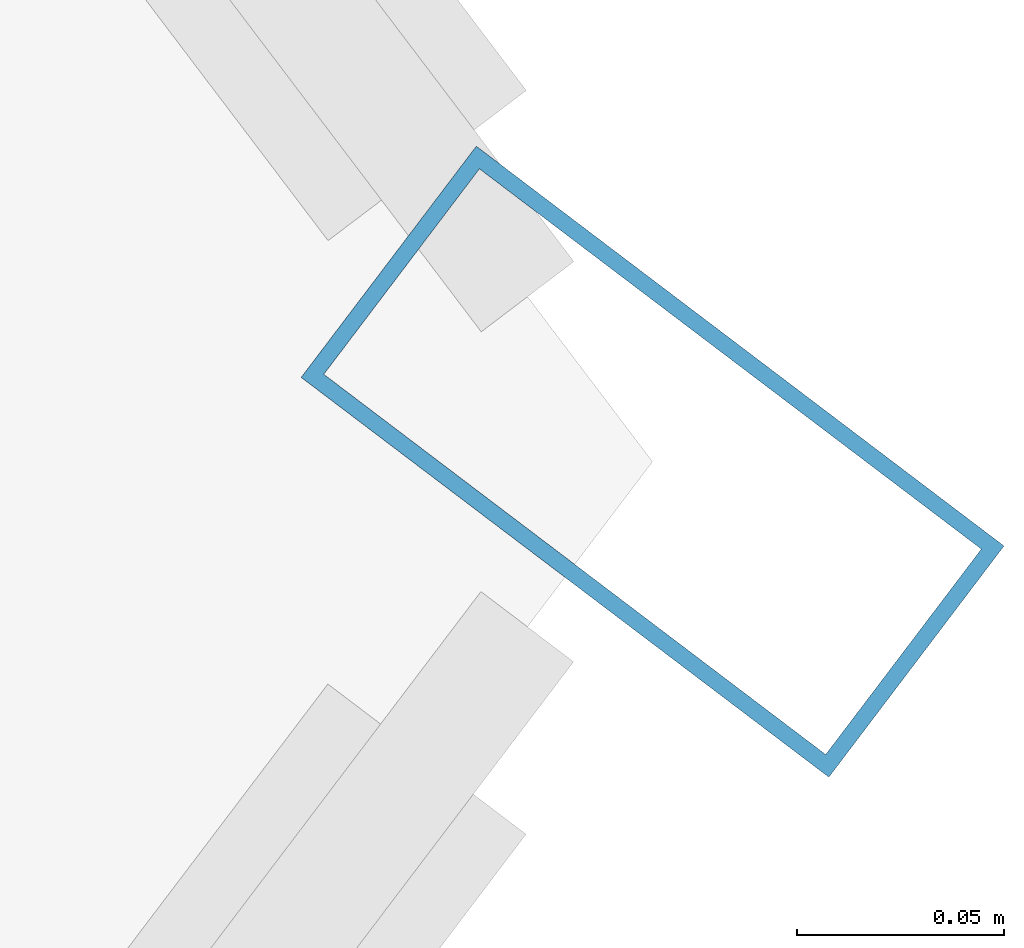
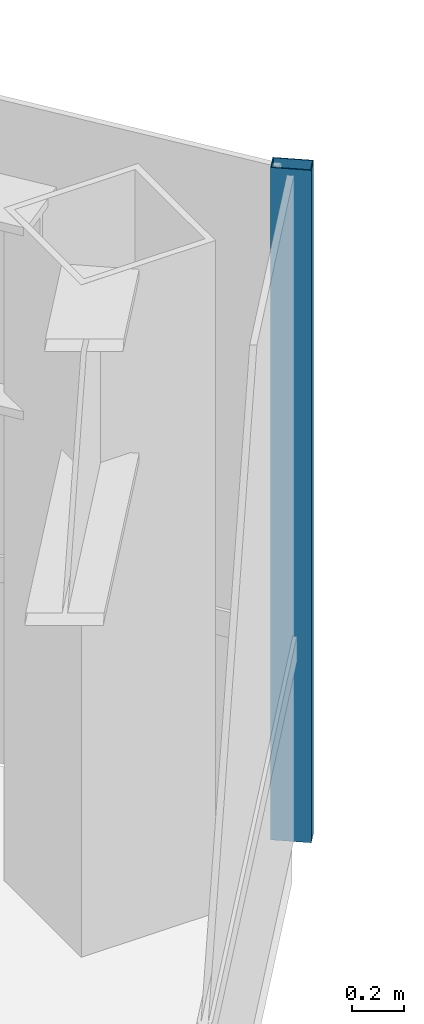
# One storey, part 21 of 28: 1 member, 1 element without a shape of its own.
"""IFC4 building model written with IfcOpenShell, lengths in metres."""

from ifc_helpers import new_model, si_unit, direction, frame, origin, origin_2d, place, context, subcontext, project, spatial, hollow_rectangle, extrude, material, layer, layer_set, material_profile, profile_set, type_object, element, aggregate, save


model = new_model("IFC4")

# Units and contexts
model_context = context("Model", 3, precision=1e-05, world=origin(), true_north=direction((0.0, 1.0)))
body_context = subcontext(model_context, "Body", "Model", "MODEL_VIEW")
ifc_project = project(units=[si_unit("LENGTHUNIT", "METRE"), si_unit("AREAUNIT", "SQUARE_METRE"), si_unit("VOLUMEUNIT", "CUBIC_METRE"), si_unit("PLANEANGLEUNIT", "RADIAN"), si_unit("MASSUNIT", "GRAM", prefix="KILO")], contexts=[model_context])

# Site, building, storey
site_placement = place(None, origin())
site = spatial("IfcSite", under=ifc_project, at=site_placement, CompositionType="ELEMENT")
building_placement = place(site_placement, origin())
building = spatial("IfcBuilding", under=site, at=building_placement, Name="Zarrinselat Tower", CompositionType="ELEMENT")
storey_placement = place(building_placement, frame((0.0, 0.0, 222.360107421875)))
storey = spatial("IfcBuildingStorey", under=building, at=storey_placement, Name="L55", CompositionType="ELEMENT", Elevation=222.360107421875)

# Curtain wall, member
ifc_material_1 = material(Name="Extruded Aluminium Alloy EN AW-6063 T6", Category="aluminium")
ifc_layer = layer(ifc_material_1, 0.169921875)
ifc_layer_set = layer_set([ifc_layer], Name="Extruded Aluminium Alloy EN AW-6063 T6")
curtain_wall_type = type_object("IfcCurtainWallType", Name="CWS-RES", PredefinedType="NOTDEFINED", material=ifc_layer_set)
curtain_wall_placement = place(storey_placement, origin())
curtain_wall = element("IfcCurtainWall", 1, at=curtain_wall_placement, inside=storey, type_object=curtain_wall_type, Name="L55 Unitised Curtain Wall CW-L55-E05", PredefinedType="NOTDEFINED")
ifc_material_2 = material(Name="Extruded Aluminium Alloy EN AW-6063 T6", Category="aluminium")
ifc_material_profile = material_profile(ifc_material_2, hollow_rectangle(XDim=0.070068359375, YDim=0.159912109375, WallThickness=0.00390625, at=origin_2d()), Name="RHS 160x70x4")
ifc_profile_set = profile_set([ifc_material_profile], Name="Extruded Aluminium Alloy EN AW-6063 T6")
member_type = type_object("IfcMemberType", Name="MEM-CW-MUL2", PredefinedType="MULLION", material=ifc_profile_set)
member_placement = place(storey_placement, frame((62.055908203125, 41.27685546875, 0.0), z_axis=(0.0, 0.0, 1.0), x_axis=(0.603859212041, 0.797090993572, 0.0)))
member = element("IfcMember", 2, at=member_placement, type_object=member_type, Name="CW-L55-E05 Mullion 8", PredefinedType="MULLION", context=body_context, shape_type="SweptSolid", body=[
    extrude(hollow_rectangle(XDim=0.070068359375, YDim=0.159912109375, WallThickness=0.00390625, at=origin_2d()), origin(), (0.0, 0.0, 1.0), 3.179931640625),
])
aggregate(curtain_wall, [member])

save(model, "model.ifc")
